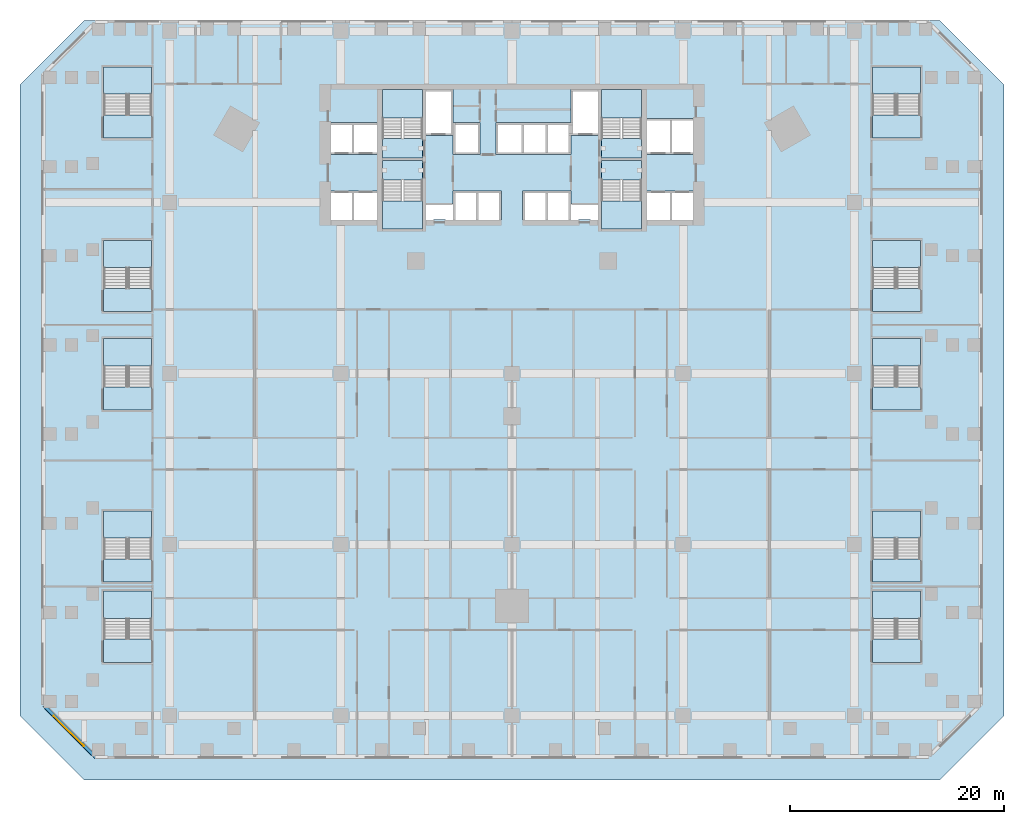
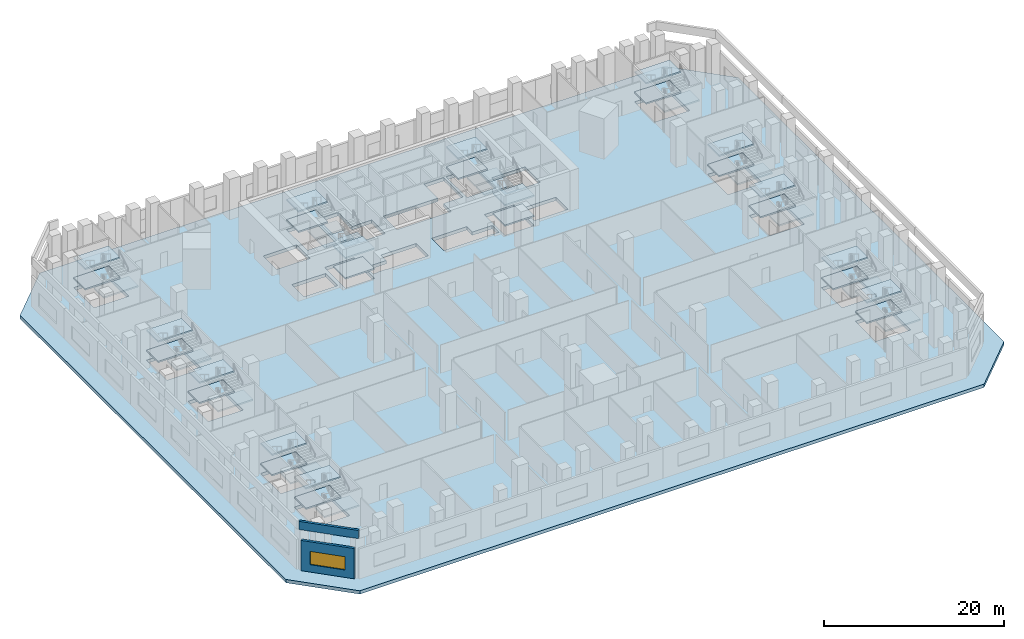
# One storey, part 3 of 22: 43 slabs, 2 walls, 1 window, 1 opening, 14 elements without a shape of their own.
"""IFC4 building model written with IfcOpenShell, lengths in metres."""

from ifc_helpers import new_model, si_unit, direction, frame, frame_2d, origin, place, context, subcontext, project, spatial, polyline, rectangle, outline, extrude, material, layer, layer_set, type_object, element, fill, aggregate, save


model = new_model("IFC4")

# Units and contexts
model_context = context("Model", 3, precision=1e-05, world=origin(), true_north=direction((0.0, 1.0)))
body_context = subcontext(model_context, "Body", "Model", "MODEL_VIEW")
ifc_project = project(units=[si_unit("LENGTHUNIT", "METRE"), si_unit("AREAUNIT", "SQUARE_METRE"), si_unit("VOLUMEUNIT", "CUBIC_METRE"), si_unit("PLANEANGLEUNIT", "RADIAN"), si_unit("MASSUNIT", "GRAM", prefix="KILO")], contexts=[model_context])

# Site, building, storey
site_placement = place(None, origin())
site = spatial("IfcSite", under=ifc_project, at=site_placement, CompositionType="ELEMENT")
building_placement = place(site_placement, origin())
building = spatial("IfcBuilding", under=site, at=building_placement, Name="Calabash Gate Tower", CompositionType="ELEMENT")
storey_placement = place(building_placement, frame((0.0, 0.0, 29.0)))
storey = spatial("IfcBuildingStorey", under=building, at=storey_placement, Name="L03", CompositionType="ELEMENT", Elevation=29.0)

# Slab
ifc_material_1 = material(Name="Concrete C40/50", Category="concrete")
ifc_layer_1 = layer(ifc_material_1, 0.449951171875)
ifc_layer_set_1 = layer_set([ifc_layer_1], Name="Reinforced concrete floor slab 450 Concrete C40/50")
slab_type_1 = type_object("IfcSlabType", Name="Reinforced concrete floor slab 450 Concrete C40/50", PredefinedType="FLOOR", material=ifc_layer_set_1)
slab_1_placement = place(storey_placement, frame((0.0, 0.0, -0.449951171875)))
element("IfcSlab", 1, at=slab_1_placement, inside=storey, type_object=slab_type_1, Name="Floor slab L03", PredefinedType="FLOOR", context=body_context, shape_type="SweptSolid", body=[
    extrude(outline(polyline([(40.0, -46.0), (-40.0, -46.0), (-46.0, -40.0), (-46.0, 19.0), (-40.0, 25.0), (-39.0, 25.0), (39.0, 25.0), (40.0, 25.0), (46.0, 19.0), (46.0, -40.0), (40.0, -46.0)]), holes=[polyline([(-1.0, 6.3525390625), (-1.0, 9.052490234375), (-3.25, 9.052490234375), (-5.5, 9.052490234375), (-5.5, 7.8525390625), (-8.050048828125, 7.8525390625), (-8.050048828125, 6.3525390625), (-7.324951171875, 6.3525390625), (-7.324951171875, 6.402587890625), (-6.22509765625, 6.402587890625), (-6.22509765625, 6.3525390625), (-5.5, 6.3525390625), (-3.25, 6.3525390625), (-1.0, 6.3525390625)]), polyline([(8.050048828125, 6.3525390625), (8.050048828125, 7.8525390625), (5.5, 7.8525390625), (5.5, 9.052490234375), (3.25, 9.052490234375), (1.0, 9.052490234375), (1.0, 6.3525390625), (3.25, 6.3525390625), (5.5, 6.3525390625), (6.22509765625, 6.3525390625), (6.22509765625, 6.402587890625), (7.324951171875, 6.402587890625), (7.324951171875, 6.3525390625), (8.050048828125, 6.3525390625)]), polyline([(-3.0, 12.45263671875), (-3.0, 15.45263671875), (-5.5, 15.45263671875), (-5.5, 18.552490234375), (-8.050048828125, 18.552490234375), (-8.050048828125, 14.252685546875), (-5.5, 14.252685546875), (-5.5, 12.45263671875), (-3.0, 12.45263671875)]), polyline([(5.5, 14.252685546875), (8.050048828125, 14.252685546875), (8.050048828125, 18.552490234375), (5.5, 18.552490234375), (5.5, 15.45263671875), (3.25, 15.45263671875), (1.0, 15.45263671875), (-1.5, 15.45263671875), (-1.5, 12.45263671875), (1.0, 12.45263671875), (3.25, 12.45263671875), (5.5, 12.45263671875), (5.5, 14.252685546875)]), polyline([(-16.89990234375, 6.3525390625), (-14.85009765625, 6.3525390625), (-12.60009765625, 6.3525390625), (-12.60009765625, 9.052490234375), (-14.85009765625, 9.052490234375), (-16.89990234375, 9.052490234375), (-16.89990234375, 6.3525390625)]), polyline([(-16.89990234375, 15.45263671875), (-16.89990234375, 12.45263671875), (-14.85009765625, 12.45263671875), (-12.60009765625, 12.45263671875), (-12.60009765625, 15.45263671875), (-14.85009765625, 15.45263671875), (-16.89990234375, 15.45263671875)]), polyline([(12.60009765625, 9.052490234375), (12.60009765625, 6.3525390625), (14.85009765625, 6.3525390625), (16.89990234375, 6.3525390625), (16.89990234375, 9.052490234375), (14.85009765625, 9.052490234375), (12.60009765625, 9.052490234375)]), polyline([(12.60009765625, 15.8525390625), (12.60009765625, 12.45263671875), (14.85009765625, 12.45263671875), (16.89990234375, 12.45263671875), (16.89990234375, 15.8525390625), (14.85009765625, 15.8525390625), (12.60009765625, 15.8525390625)]), polyline([(-12.10009765625, 13.95263671875), (-8.35009765625, 13.95263671875), (-8.35009765625, 18.552490234375), (-12.10009765625, 18.552490234375), (-12.10009765625, 13.95263671875)]), polyline([(-8.35009765625, 5.502685546875), (-8.35009765625, 10.1025390625), (-12.10009765625, 10.1025390625), (-12.10009765625, 5.502685546875), (-8.35009765625, 5.502685546875)]), polyline([(12.10009765625, 18.552490234375), (8.35009765625, 18.552490234375), (8.35009765625, 13.95263671875), (12.10009765625, 13.95263671875), (12.10009765625, 18.552490234375)]), polyline([(8.35009765625, 10.1025390625), (8.35009765625, 5.502685546875), (12.10009765625, 5.502685546875), (12.10009765625, 10.1025390625), (8.35009765625, 10.1025390625)]), polyline([(-33.699951171875, -28.35009765625), (-38.169921875, -28.35009765625), (-38.169921875, -32.840087890625), (-33.699951171875, -32.840087890625), (-33.699951171875, -28.35009765625)]), polyline([(-33.699951171875, -25.340087890625), (-33.699951171875, -20.85009765625), (-38.169921875, -20.85009765625), (-38.169921875, -25.340087890625), (-33.699951171875, -25.340087890625)]), polyline([(-38.169921875, -9.239990234375), (-33.699951171875, -9.239990234375), (-33.699951171875, -4.75), (-38.169921875, -4.75), (-38.169921875, -9.239990234375)]), polyline([(-38.169921875, 4.449951171875), (-38.169921875, -0.0400390625), (-33.699951171875, -0.0400390625), (-33.699951171875, 4.449951171875), (-38.169921875, 4.449951171875)]), polyline([(-33.699951171875, 20.64990234375), (-38.169921875, 20.64990234375), (-38.169921875, 16.159912109375), (-33.699951171875, 16.159912109375), (-33.699951171875, 20.64990234375)]), polyline([(38.169921875, -32.840087890625), (38.169921875, -28.35009765625), (33.699951171875, -28.35009765625), (33.699951171875, -32.840087890625), (38.169921875, -32.840087890625)]), polyline([(33.699951171875, -25.340087890625), (38.169921875, -25.340087890625), (38.169921875, -20.85009765625), (33.699951171875, -20.85009765625), (33.699951171875, -25.340087890625)]), polyline([(33.699951171875, -4.75), (33.699951171875, -9.239990234375), (38.169921875, -9.239990234375), (38.169921875, -4.75), (33.699951171875, -4.75)]), polyline([(38.169921875, 4.449951171875), (33.699951171875, 4.449951171875), (33.699951171875, -0.0400390625), (38.169921875, -0.0400390625), (38.169921875, 4.449951171875)]), polyline([(38.169921875, 16.159912109375), (38.169921875, 20.64990234375), (33.699951171875, 20.64990234375), (33.699951171875, 16.159912109375), (38.169921875, 16.159912109375)])]), origin(), (0.0, 0.0, 1.0), 0.449951171875),
])

# Stair, slabs
ifc_material_2 = material(Name="Concrete C40/50", Category="concrete")
stair_type_1 = type_object("IfcStairType", Name="Exit stair 32 risers of 171.9 mm", PredefinedType="HALF_TURN_STAIR", material=ifc_material_2)
stair_1_placement = place(storey_placement, origin())
stair_1 = element("IfcStair", 2, at=stair_1_placement, inside=storey, type_object=stair_type_1, Name="L03 Exit stair ST1", PredefinedType="HALF_TURN_STAIR")
ifc_material_3 = material(Name="Concrete C40/50", Category="concrete")
ifc_layer_2 = layer(ifc_material_3, 0.199951171875)
ifc_layer_set_2 = layer_set([ifc_layer_2], Name="Stair landing SL200")
slab_type_2 = type_object("IfcSlabType", Name="Stair landing SL200", PredefinedType="LANDING", material=ifc_layer_set_2)
slab_2_placement = place(storey_placement, frame((0.0, 0.0, 1.175048828125)))
slab_2 = element("IfcSlab", 3, at=slab_2_placement, type_object=slab_type_2, Name="ST1 landing 1", PredefinedType="LANDING", context=body_context, shape_type="SweptSolid", body=[
    extrude(outline(polyline([(-8.35009765625, 15.905517578125), (-8.35009765625, 18.552490234375), (-12.10009765625, 18.552490234375), (-12.10009765625, 15.905517578125), (-8.35009765625, 15.905517578125)])), origin(), (0.0, 0.0, 1.0), 0.199951171875),
])
slab_3_placement = place(storey_placement, frame((0.0, 0.0, 2.550048828125)))
slab_3 = element("IfcSlab", 4, at=slab_3_placement, type_object=slab_type_2, Name="ST1 landing 2", PredefinedType="LANDING", context=body_context, shape_type="SweptSolid", body=[
    extrude(outline(polyline([(-8.35009765625, 12.152587890625), (-8.35009765625, 13.95263671875), (-12.10009765625, 13.95263671875), (-12.10009765625, 12.152587890625), (-8.35009765625, 12.152587890625)])), origin(), (0.0, 0.0, 1.0), 0.199951171875),
])
slab_4_placement = place(storey_placement, frame((0.0, 0.0, 3.925048828125)))
slab_4 = element("IfcSlab", 5, at=slab_4_placement, type_object=slab_type_2, Name="ST1 landing 3", PredefinedType="LANDING", context=body_context, shape_type="SweptSolid", body=[
    extrude(outline(polyline([(-8.35009765625, 15.905517578125), (-8.35009765625, 18.552490234375), (-12.10009765625, 18.552490234375), (-12.10009765625, 15.905517578125), (-8.35009765625, 15.905517578125)])), origin(), (0.0, 0.0, 1.0), 0.199951171875),
])
aggregate(stair_1, [slab_2, slab_3, slab_4])

stair_2_placement = place(storey_placement, origin())
stair_2 = element("IfcStair", 6, at=stair_2_placement, inside=storey, type_object=stair_type_1, Name="L03 Exit stair ST2", PredefinedType="HALF_TURN_STAIR")
slab_5_placement = place(storey_placement, frame((0.0, 0.0, 1.175048828125)))
slab_5 = element("IfcSlab", 7, at=slab_5_placement, type_object=slab_type_2, Name="ST2 landing 1", PredefinedType="LANDING", context=body_context, shape_type="SweptSolid", body=[
    extrude(outline(polyline([(-12.10009765625, 8.149658203125), (-12.10009765625, 5.502685546875), (-8.35009765625, 5.502685546875), (-8.35009765625, 8.149658203125), (-12.10009765625, 8.149658203125)])), origin(), (0.0, 0.0, 1.0), 0.199951171875),
])
slab_6_placement = place(storey_placement, frame((0.0, 0.0, 2.550048828125)))
slab_6 = element("IfcSlab", 8, at=slab_6_placement, type_object=slab_type_2, Name="ST2 landing 2", PredefinedType="LANDING", context=body_context, shape_type="SweptSolid", body=[
    extrude(outline(polyline([(-12.10009765625, 11.902587890625), (-12.10009765625, 10.1025390625), (-8.35009765625, 10.1025390625), (-8.35009765625, 11.902587890625), (-12.10009765625, 11.902587890625)])), origin(), (0.0, 0.0, 1.0), 0.199951171875),
])
slab_7_placement = place(storey_placement, frame((0.0, 0.0, 3.925048828125)))
slab_7 = element("IfcSlab", 9, at=slab_7_placement, type_object=slab_type_2, Name="ST2 landing 3", PredefinedType="LANDING", context=body_context, shape_type="SweptSolid", body=[
    extrude(outline(polyline([(-12.10009765625, 8.149658203125), (-12.10009765625, 5.502685546875), (-8.35009765625, 5.502685546875), (-8.35009765625, 8.149658203125), (-12.10009765625, 8.149658203125)])), origin(), (0.0, 0.0, 1.0), 0.199951171875),
])
aggregate(stair_2, [slab_5, slab_6, slab_7])

stair_3_placement = place(storey_placement, origin())
stair_3 = element("IfcStair", 10, at=stair_3_placement, inside=storey, type_object=stair_type_1, Name="L03 Exit stair ST3", PredefinedType="HALF_TURN_STAIR")
slab_8_placement = place(storey_placement, frame((0.0, 0.0, 1.175048828125)))
slab_8 = element("IfcSlab", 11, at=slab_8_placement, type_object=slab_type_2, Name="ST3 landing 1", PredefinedType="LANDING", context=body_context, shape_type="SweptSolid", body=[
    extrude(outline(polyline([(12.10009765625, 15.905517578125), (12.10009765625, 18.552490234375), (8.35009765625, 18.552490234375), (8.35009765625, 15.905517578125), (12.10009765625, 15.905517578125)])), origin(), (0.0, 0.0, 1.0), 0.199951171875),
])
slab_9_placement = place(storey_placement, frame((0.0, 0.0, 2.550048828125)))
slab_9 = element("IfcSlab", 12, at=slab_9_placement, type_object=slab_type_2, Name="ST3 landing 2", PredefinedType="LANDING", context=body_context, shape_type="SweptSolid", body=[
    extrude(outline(polyline([(12.10009765625, 12.152587890625), (12.10009765625, 13.95263671875), (8.35009765625, 13.95263671875), (8.35009765625, 12.152587890625), (12.10009765625, 12.152587890625)])), origin(), (0.0, 0.0, 1.0), 0.199951171875),
])
slab_10_placement = place(storey_placement, frame((0.0, 0.0, 3.925048828125)))
slab_10 = element("IfcSlab", 13, at=slab_10_placement, type_object=slab_type_2, Name="ST3 landing 3", PredefinedType="LANDING", context=body_context, shape_type="SweptSolid", body=[
    extrude(outline(polyline([(12.10009765625, 15.905517578125), (12.10009765625, 18.552490234375), (8.35009765625, 18.552490234375), (8.35009765625, 15.905517578125), (12.10009765625, 15.905517578125)])), origin(), (0.0, 0.0, 1.0), 0.199951171875),
])
aggregate(stair_3, [slab_8, slab_9, slab_10])

stair_4_placement = place(storey_placement, origin())
stair_4 = element("IfcStair", 14, at=stair_4_placement, inside=storey, type_object=stair_type_1, Name="L03 Exit stair ST4", PredefinedType="HALF_TURN_STAIR")
slab_11_placement = place(storey_placement, frame((0.0, 0.0, 1.175048828125)))
slab_11 = element("IfcSlab", 15, at=slab_11_placement, type_object=slab_type_2, Name="ST4 landing 1", PredefinedType="LANDING", context=body_context, shape_type="SweptSolid", body=[
    extrude(outline(polyline([(8.35009765625, 8.149658203125), (8.35009765625, 5.502685546875), (12.10009765625, 5.502685546875), (12.10009765625, 8.149658203125), (8.35009765625, 8.149658203125)])), origin(), (0.0, 0.0, 1.0), 0.199951171875),
])
slab_12_placement = place(storey_placement, frame((0.0, 0.0, 2.550048828125)))
slab_12 = element("IfcSlab", 16, at=slab_12_placement, type_object=slab_type_2, Name="ST4 landing 2", PredefinedType="LANDING", context=body_context, shape_type="SweptSolid", body=[
    extrude(outline(polyline([(8.35009765625, 11.902587890625), (8.35009765625, 10.1025390625), (12.10009765625, 10.1025390625), (12.10009765625, 11.902587890625), (8.35009765625, 11.902587890625)])), origin(), (0.0, 0.0, 1.0), 0.199951171875),
])
slab_13_placement = place(storey_placement, frame((0.0, 0.0, 3.925048828125)))
slab_13 = element("IfcSlab", 17, at=slab_13_placement, type_object=slab_type_2, Name="ST4 landing 3", PredefinedType="LANDING", context=body_context, shape_type="SweptSolid", body=[
    extrude(outline(polyline([(8.35009765625, 8.149658203125), (8.35009765625, 5.502685546875), (12.10009765625, 5.502685546875), (12.10009765625, 8.149658203125), (8.35009765625, 8.149658203125)])), origin(), (0.0, 0.0, 1.0), 0.199951171875),
])
aggregate(stair_4, [slab_11, slab_12, slab_13])

ifc_material_4 = material(Name="Concrete C40/50", Category="concrete")
stair_type_2 = type_object("IfcStairType", Name="Public stair 32 risers of 171.9 mm", PredefinedType="HALF_TURN_STAIR", material=ifc_material_4)
stair_5_placement = place(storey_placement, origin())
stair_5 = element("IfcStair", 18, at=stair_5_placement, inside=storey, type_object=stair_type_2, Name="L03 Public Stair PS1", PredefinedType="HALF_TURN_STAIR")
slab_14_placement = place(storey_placement, frame((0.0, 0.0, 1.175048828125)))
slab_14 = element("IfcSlab", 19, at=slab_14_placement, type_object=slab_type_2, Name="PS1 landing 1", PredefinedType="LANDING", context=body_context, shape_type="SweptSolid", body=[
    extrude(outline(polyline([(-33.699951171875, -30.886962890625), (-33.699951171875, -28.35009765625), (-38.169921875, -28.35009765625), (-38.169921875, -30.886962890625), (-33.699951171875, -30.886962890625)])), origin(), (0.0, 0.0, 1.0), 0.199951171875),
])
slab_15_placement = place(storey_placement, frame((0.0, 0.0, 2.550048828125)))
slab_15 = element("IfcSlab", 20, at=slab_15_placement, type_object=slab_type_2, Name="PS1 landing 2", PredefinedType="LANDING", context=body_context, shape_type="SweptSolid", body=[
    extrude(outline(polyline([(-33.699951171875, -35.0), (-33.699951171875, -32.840087890625), (-38.169921875, -32.840087890625), (-38.169921875, -35.0), (-33.699951171875, -35.0)])), origin(), (0.0, 0.0, 1.0), 0.199951171875),
])
slab_16_placement = place(storey_placement, frame((0.0, 0.0, 3.925048828125)))
slab_16 = element("IfcSlab", 21, at=slab_16_placement, type_object=slab_type_2, Name="PS1 landing 3", PredefinedType="LANDING", context=body_context, shape_type="SweptSolid", body=[
    extrude(outline(polyline([(-33.699951171875, -30.886962890625), (-33.699951171875, -28.35009765625), (-38.169921875, -28.35009765625), (-38.169921875, -30.886962890625), (-33.699951171875, -30.886962890625)])), origin(), (0.0, 0.0, 1.0), 0.199951171875),
])
aggregate(stair_5, [slab_14, slab_15, slab_16])

stair_6_placement = place(storey_placement, origin())
stair_6 = element("IfcStair", 22, at=stair_6_placement, inside=storey, type_object=stair_type_2, Name="L03 Public Stair PS2", PredefinedType="HALF_TURN_STAIR")
slab_17_placement = place(storey_placement, frame((0.0, 0.0, 1.175048828125)))
slab_17 = element("IfcSlab", 23, at=slab_17_placement, type_object=slab_type_2, Name="PS2 landing 1", PredefinedType="LANDING", context=body_context, shape_type="SweptSolid", body=[
    extrude(outline(polyline([(-33.699951171875, -23.386962890625), (-33.699951171875, -20.85009765625), (-38.169921875, -20.85009765625), (-38.169921875, -23.386962890625), (-33.699951171875, -23.386962890625)])), origin(), (0.0, 0.0, 1.0), 0.199951171875),
])
slab_18_placement = place(storey_placement, frame((0.0, 0.0, 2.550048828125)))
slab_18 = element("IfcSlab", 24, at=slab_18_placement, type_object=slab_type_2, Name="PS2 landing 2", PredefinedType="LANDING", context=body_context, shape_type="SweptSolid", body=[
    extrude(outline(polyline([(-33.699951171875, -27.5), (-33.699951171875, -25.340087890625), (-38.169921875, -25.340087890625), (-38.169921875, -27.5), (-33.699951171875, -27.5)])), origin(), (0.0, 0.0, 1.0), 0.199951171875),
])
slab_19_placement = place(storey_placement, frame((0.0, 0.0, 3.925048828125)))
slab_19 = element("IfcSlab", 25, at=slab_19_placement, type_object=slab_type_2, Name="PS2 landing 3", PredefinedType="LANDING", context=body_context, shape_type="SweptSolid", body=[
    extrude(outline(polyline([(-33.699951171875, -23.386962890625), (-33.699951171875, -20.85009765625), (-38.169921875, -20.85009765625), (-38.169921875, -23.386962890625), (-33.699951171875, -23.386962890625)])), origin(), (0.0, 0.0, 1.0), 0.199951171875),
])
aggregate(stair_6, [slab_17, slab_18, slab_19])

stair_7_placement = place(storey_placement, origin())
stair_7 = element("IfcStair", 26, at=stair_7_placement, inside=storey, type_object=stair_type_2, Name="L03 Public Stair PS3", PredefinedType="HALF_TURN_STAIR")
slab_20_placement = place(storey_placement, frame((0.0, 0.0, 1.175048828125)))
slab_20 = element("IfcSlab", 27, at=slab_20_placement, type_object=slab_type_2, Name="PS3 landing 1", PredefinedType="LANDING", context=body_context, shape_type="SweptSolid", body=[
    extrude(outline(polyline([(-33.699951171875, -7.287109375), (-33.699951171875, -4.75), (-38.169921875, -4.75), (-38.169921875, -7.287109375), (-33.699951171875, -7.287109375)])), origin(), (0.0, 0.0, 1.0), 0.199951171875),
])
slab_21_placement = place(storey_placement, frame((0.0, 0.0, 2.550048828125)))
slab_21 = element("IfcSlab", 28, at=slab_21_placement, type_object=slab_type_2, Name="PS3 landing 2", PredefinedType="LANDING", context=body_context, shape_type="SweptSolid", body=[
    extrude(outline(polyline([(-33.699951171875, -11.39990234375), (-33.699951171875, -9.239990234375), (-38.169921875, -9.239990234375), (-38.169921875, -11.39990234375), (-33.699951171875, -11.39990234375)])), origin(), (0.0, 0.0, 1.0), 0.199951171875),
])
slab_22_placement = place(storey_placement, frame((0.0, 0.0, 3.925048828125)))
slab_22 = element("IfcSlab", 29, at=slab_22_placement, type_object=slab_type_2, Name="PS3 landing 3", PredefinedType="LANDING", context=body_context, shape_type="SweptSolid", body=[
    extrude(outline(polyline([(-33.699951171875, -7.287109375), (-33.699951171875, -4.75), (-38.169921875, -4.75), (-38.169921875, -7.287109375), (-33.699951171875, -7.287109375)])), origin(), (0.0, 0.0, 1.0), 0.199951171875),
])
aggregate(stair_7, [slab_20, slab_21, slab_22])

stair_8_placement = place(storey_placement, origin())
stair_8 = element("IfcStair", 30, at=stair_8_placement, inside=storey, type_object=stair_type_2, Name="L03 Public Stair PS4", PredefinedType="HALF_TURN_STAIR")
slab_23_placement = place(storey_placement, frame((0.0, 0.0, 1.175048828125)))
slab_23 = element("IfcSlab", 31, at=slab_23_placement, type_object=slab_type_2, Name="PS4 landing 1", PredefinedType="LANDING", context=body_context, shape_type="SweptSolid", body=[
    extrude(outline(polyline([(-33.699951171875, 1.9130859375), (-33.699951171875, 4.449951171875), (-38.169921875, 4.449951171875), (-38.169921875, 1.9130859375), (-33.699951171875, 1.9130859375)])), origin(), (0.0, 0.0, 1.0), 0.199951171875),
])
slab_24_placement = place(storey_placement, frame((0.0, 0.0, 2.550048828125)))
slab_24 = element("IfcSlab", 32, at=slab_24_placement, type_object=slab_type_2, Name="PS4 landing 2", PredefinedType="LANDING", context=body_context, shape_type="SweptSolid", body=[
    extrude(outline(polyline([(-33.699951171875, -2.199951171875), (-33.699951171875, -0.0400390625), (-38.169921875, -0.0400390625), (-38.169921875, -2.199951171875), (-33.699951171875, -2.199951171875)])), origin(), (0.0, 0.0, 1.0), 0.199951171875),
])
slab_25_placement = place(storey_placement, frame((0.0, 0.0, 3.925048828125)))
slab_25 = element("IfcSlab", 33, at=slab_25_placement, type_object=slab_type_2, Name="PS4 landing 3", PredefinedType="LANDING", context=body_context, shape_type="SweptSolid", body=[
    extrude(outline(polyline([(-33.699951171875, 1.9130859375), (-33.699951171875, 4.449951171875), (-38.169921875, 4.449951171875), (-38.169921875, 1.9130859375), (-33.699951171875, 1.9130859375)])), origin(), (0.0, 0.0, 1.0), 0.199951171875),
])
aggregate(stair_8, [slab_23, slab_24, slab_25])

stair_9_placement = place(storey_placement, origin())
stair_9 = element("IfcStair", 34, at=stair_9_placement, inside=storey, type_object=stair_type_2, Name="L03 Public Stair PS5", PredefinedType="HALF_TURN_STAIR")
slab_26_placement = place(storey_placement, frame((0.0, 0.0, 1.175048828125)))
slab_26 = element("IfcSlab", 35, at=slab_26_placement, type_object=slab_type_2, Name="PS5 landing 1", PredefinedType="LANDING", context=body_context, shape_type="SweptSolid", body=[
    extrude(outline(polyline([(-33.699951171875, 18.113037109375), (-33.699951171875, 20.64990234375), (-38.169921875, 20.64990234375), (-38.169921875, 18.113037109375), (-33.699951171875, 18.113037109375)])), origin(), (0.0, 0.0, 1.0), 0.199951171875),
])
slab_27_placement = place(storey_placement, frame((0.0, 0.0, 2.550048828125)))
slab_27 = element("IfcSlab", 36, at=slab_27_placement, type_object=slab_type_2, Name="PS5 landing 2", PredefinedType="LANDING", context=body_context, shape_type="SweptSolid", body=[
    extrude(outline(polyline([(-33.699951171875, 14.0), (-33.699951171875, 16.159912109375), (-38.169921875, 16.159912109375), (-38.169921875, 14.0), (-33.699951171875, 14.0)])), origin(), (0.0, 0.0, 1.0), 0.199951171875),
])
slab_28_placement = place(storey_placement, frame((0.0, 0.0, 3.925048828125)))
slab_28 = element("IfcSlab", 37, at=slab_28_placement, type_object=slab_type_2, Name="PS5 landing 3", PredefinedType="LANDING", context=body_context, shape_type="SweptSolid", body=[
    extrude(outline(polyline([(-33.699951171875, 18.113037109375), (-33.699951171875, 20.64990234375), (-38.169921875, 20.64990234375), (-38.169921875, 18.113037109375), (-33.699951171875, 18.113037109375)])), origin(), (0.0, 0.0, 1.0), 0.199951171875),
])
aggregate(stair_9, [slab_26, slab_27, slab_28])

stair_10_placement = place(storey_placement, origin())
stair_10 = element("IfcStair", 38, at=stair_10_placement, inside=storey, type_object=stair_type_2, Name="L03 Public Stair PS6", PredefinedType="HALF_TURN_STAIR")
slab_29_placement = place(storey_placement, frame((0.0, 0.0, 1.175048828125)))
slab_29 = element("IfcSlab", 39, at=slab_29_placement, type_object=slab_type_2, Name="PS6 landing 1", PredefinedType="LANDING", context=body_context, shape_type="SweptSolid", body=[
    extrude(outline(polyline([(38.169921875, -30.886962890625), (38.169921875, -28.35009765625), (33.699951171875, -28.35009765625), (33.699951171875, -30.886962890625), (38.169921875, -30.886962890625)])), origin(), (0.0, 0.0, 1.0), 0.199951171875),
])
slab_30_placement = place(storey_placement, frame((0.0, 0.0, 2.550048828125)))
slab_30 = element("IfcSlab", 40, at=slab_30_placement, type_object=slab_type_2, Name="PS6 landing 2", PredefinedType="LANDING", context=body_context, shape_type="SweptSolid", body=[
    extrude(outline(polyline([(38.169921875, -35.0), (38.169921875, -32.840087890625), (33.699951171875, -32.840087890625), (33.699951171875, -35.0), (38.169921875, -35.0)])), origin(), (0.0, 0.0, 1.0), 0.199951171875),
])
slab_31_placement = place(storey_placement, frame((0.0, 0.0, 3.925048828125)))
slab_31 = element("IfcSlab", 41, at=slab_31_placement, type_object=slab_type_2, Name="PS6 landing 3", PredefinedType="LANDING", context=body_context, shape_type="SweptSolid", body=[
    extrude(outline(polyline([(38.169921875, -30.886962890625), (38.169921875, -28.35009765625), (33.699951171875, -28.35009765625), (33.699951171875, -30.886962890625), (38.169921875, -30.886962890625)])), origin(), (0.0, 0.0, 1.0), 0.199951171875),
])
aggregate(stair_10, [slab_29, slab_30, slab_31])

stair_11_placement = place(storey_placement, origin())
stair_11 = element("IfcStair", 42, at=stair_11_placement, inside=storey, type_object=stair_type_2, Name="L03 Public Stair PS7", PredefinedType="HALF_TURN_STAIR")
slab_32_placement = place(storey_placement, frame((0.0, 0.0, 1.175048828125)))
slab_32 = element("IfcSlab", 43, at=slab_32_placement, type_object=slab_type_2, Name="PS7 landing 1", PredefinedType="LANDING", context=body_context, shape_type="SweptSolid", body=[
    extrude(outline(polyline([(38.169921875, -23.386962890625), (38.169921875, -20.85009765625), (33.699951171875, -20.85009765625), (33.699951171875, -23.386962890625), (38.169921875, -23.386962890625)])), origin(), (0.0, 0.0, 1.0), 0.199951171875),
])
slab_33_placement = place(storey_placement, frame((0.0, 0.0, 2.550048828125)))
slab_33 = element("IfcSlab", 44, at=slab_33_placement, type_object=slab_type_2, Name="PS7 landing 2", PredefinedType="LANDING", context=body_context, shape_type="SweptSolid", body=[
    extrude(outline(polyline([(38.169921875, -27.5), (38.169921875, -25.340087890625), (33.699951171875, -25.340087890625), (33.699951171875, -27.5), (38.169921875, -27.5)])), origin(), (0.0, 0.0, 1.0), 0.199951171875),
])
slab_34_placement = place(storey_placement, frame((0.0, 0.0, 3.925048828125)))
slab_34 = element("IfcSlab", 45, at=slab_34_placement, type_object=slab_type_2, Name="PS7 landing 3", PredefinedType="LANDING", context=body_context, shape_type="SweptSolid", body=[
    extrude(outline(polyline([(38.169921875, -23.386962890625), (38.169921875, -20.85009765625), (33.699951171875, -20.85009765625), (33.699951171875, -23.386962890625), (38.169921875, -23.386962890625)])), origin(), (0.0, 0.0, 1.0), 0.199951171875),
])
aggregate(stair_11, [slab_32, slab_33, slab_34])

stair_12_placement = place(storey_placement, origin())
stair_12 = element("IfcStair", 46, at=stair_12_placement, inside=storey, type_object=stair_type_2, Name="L03 Public Stair PS8", PredefinedType="HALF_TURN_STAIR")
slab_35_placement = place(storey_placement, frame((0.0, 0.0, 1.175048828125)))
slab_35 = element("IfcSlab", 47, at=slab_35_placement, type_object=slab_type_2, Name="PS8 landing 1", PredefinedType="LANDING", context=body_context, shape_type="SweptSolid", body=[
    extrude(outline(polyline([(38.169921875, -7.287109375), (38.169921875, -4.75), (33.699951171875, -4.75), (33.699951171875, -7.287109375), (38.169921875, -7.287109375)])), origin(), (0.0, 0.0, 1.0), 0.199951171875),
])
slab_36_placement = place(storey_placement, frame((0.0, 0.0, 2.550048828125)))
slab_36 = element("IfcSlab", 48, at=slab_36_placement, type_object=slab_type_2, Name="PS8 landing 2", PredefinedType="LANDING", context=body_context, shape_type="SweptSolid", body=[
    extrude(outline(polyline([(38.169921875, -11.39990234375), (38.169921875, -9.239990234375), (33.699951171875, -9.239990234375), (33.699951171875, -11.39990234375), (38.169921875, -11.39990234375)])), origin(), (0.0, 0.0, 1.0), 0.199951171875),
])
slab_37_placement = place(storey_placement, frame((0.0, 0.0, 3.925048828125)))
slab_37 = element("IfcSlab", 49, at=slab_37_placement, type_object=slab_type_2, Name="PS8 landing 3", PredefinedType="LANDING", context=body_context, shape_type="SweptSolid", body=[
    extrude(outline(polyline([(38.169921875, -7.287109375), (38.169921875, -4.75), (33.699951171875, -4.75), (33.699951171875, -7.287109375), (38.169921875, -7.287109375)])), origin(), (0.0, 0.0, 1.0), 0.199951171875),
])
aggregate(stair_12, [slab_35, slab_36, slab_37])

stair_13_placement = place(storey_placement, origin())
stair_13 = element("IfcStair", 50, at=stair_13_placement, inside=storey, type_object=stair_type_2, Name="L03 Public Stair PS9", PredefinedType="HALF_TURN_STAIR")
slab_38_placement = place(storey_placement, frame((0.0, 0.0, 1.175048828125)))
slab_38 = element("IfcSlab", 51, at=slab_38_placement, type_object=slab_type_2, Name="PS9 landing 1", PredefinedType="LANDING", context=body_context, shape_type="SweptSolid", body=[
    extrude(outline(polyline([(38.169921875, 1.9130859375), (38.169921875, 4.449951171875), (33.699951171875, 4.449951171875), (33.699951171875, 1.9130859375), (38.169921875, 1.9130859375)])), origin(), (0.0, 0.0, 1.0), 0.199951171875),
])
slab_39_placement = place(storey_placement, frame((0.0, 0.0, 2.550048828125)))
slab_39 = element("IfcSlab", 52, at=slab_39_placement, type_object=slab_type_2, Name="PS9 landing 2", PredefinedType="LANDING", context=body_context, shape_type="SweptSolid", body=[
    extrude(outline(polyline([(38.169921875, -2.199951171875), (38.169921875, -0.0400390625), (33.699951171875, -0.0400390625), (33.699951171875, -2.199951171875), (38.169921875, -2.199951171875)])), origin(), (0.0, 0.0, 1.0), 0.199951171875),
])
slab_40_placement = place(storey_placement, frame((0.0, 0.0, 3.925048828125)))
slab_40 = element("IfcSlab", 53, at=slab_40_placement, type_object=slab_type_2, Name="PS9 landing 3", PredefinedType="LANDING", context=body_context, shape_type="SweptSolid", body=[
    extrude(outline(polyline([(38.169921875, 1.9130859375), (38.169921875, 4.449951171875), (33.699951171875, 4.449951171875), (33.699951171875, 1.9130859375), (38.169921875, 1.9130859375)])), origin(), (0.0, 0.0, 1.0), 0.199951171875),
])
aggregate(stair_13, [slab_38, slab_39, slab_40])

stair_14_placement = place(storey_placement, origin())
stair_14 = element("IfcStair", 54, at=stair_14_placement, inside=storey, type_object=stair_type_2, Name="L03 Public Stair PS10", PredefinedType="HALF_TURN_STAIR")
slab_41_placement = place(storey_placement, frame((0.0, 0.0, 1.175048828125)))
slab_41 = element("IfcSlab", 55, at=slab_41_placement, type_object=slab_type_2, Name="PS10 landing 1", PredefinedType="LANDING", context=body_context, shape_type="SweptSolid", body=[
    extrude(outline(polyline([(38.169921875, 18.113037109375), (38.169921875, 20.64990234375), (33.699951171875, 20.64990234375), (33.699951171875, 18.113037109375), (38.169921875, 18.113037109375)])), origin(), (0.0, 0.0, 1.0), 0.199951171875),
])
slab_42_placement = place(storey_placement, frame((0.0, 0.0, 2.550048828125)))
slab_42 = element("IfcSlab", 56, at=slab_42_placement, type_object=slab_type_2, Name="PS10 landing 2", PredefinedType="LANDING", context=body_context, shape_type="SweptSolid", body=[
    extrude(outline(polyline([(38.169921875, 14.0), (38.169921875, 16.159912109375), (33.699951171875, 16.159912109375), (33.699951171875, 14.0), (38.169921875, 14.0)])), origin(), (0.0, 0.0, 1.0), 0.199951171875),
])
slab_43_placement = place(storey_placement, frame((0.0, 0.0, 3.925048828125)))
slab_43 = element("IfcSlab", 57, at=slab_43_placement, type_object=slab_type_2, Name="PS10 landing 3", PredefinedType="LANDING", context=body_context, shape_type="SweptSolid", body=[
    extrude(outline(polyline([(38.169921875, 18.113037109375), (38.169921875, 20.64990234375), (33.699951171875, 20.64990234375), (33.699951171875, 18.113037109375), (38.169921875, 18.113037109375)])), origin(), (0.0, 0.0, 1.0), 0.199951171875),
])
aggregate(stair_14, [slab_41, slab_42, slab_43])

# Wall, opening, window
ifc_material_5 = material(Name="Terracotta brick masonry, exposed face", Category="masonry")
ifc_layer_3 = layer(ifc_material_5, 0.300048828125)
ifc_layer_set_3 = layer_set([ifc_layer_3], Name="Podium brick wall 300")
wall_type_1 = type_object("IfcWallType", Name="Podium brick wall 300", PredefinedType="SOLIDWALL", material=ifc_layer_set_3)
wall_1_placement = place(storey_placement, frame((-43.587646484375, -39.27099609375, 0.0), z_axis=(0.0, 0.0, 1.0), x_axis=(0.707106781187, -0.707106781187, 0.0)))
wall_1 = element("IfcWall", 58, at=wall_1_placement, inside=storey, type_object=wall_type_1, Name="Podium brick wall L03 7.0.0", PredefinedType="SOLIDWALL", context=body_context, shape_type="SweptSolid", body=[
    extrude(rectangle(XDim=6.104736328125, YDim=0.300048828125, at=frame_2d((3.05224609375, 0.0))), origin(), (0.0, 0.0, 1.0), 4.10009765625),
])
opening_placement = place(wall_1_placement, frame((1.05224609375, 0.0, 1.0)))
opening = element("IfcOpeningElement", 59, at=opening_placement, cuts=wall_1, Name="Opening WM1", PredefinedType="OPENING", context=body_context, shape_type="SweptSolid", body=[
    extrude(rectangle(XDim=4.0, YDim=1.800048828125, at=frame_2d((2.0, 0.89990234375))), frame((0.0, 0.159912109375, 0.0), z_axis=(0.0, -1.0, 0.0), x_axis=(1.0, 0.0, 0.0)), (0.0, 0.0, 1.0), 0.320068359375),
])
ifc_material_6 = material(Name="Anodised aluminium frame, bronze finish, impact-rated laminated clear glazing", Category="aluminium")
window_type = type_object("IfcWindowType", Name="Window WM1 4000x1800", PartitioningType="TRIPLE_PANEL_VERTICAL", PredefinedType="WINDOW", material=ifc_material_6)
window_placement = place(opening_placement, origin())
window = element("IfcWindow", 60, at=window_placement, inside=storey, type_object=window_type, Name="Meeting room window L03 7.0.0", OverallHeight=1.800048828125, OverallWidth=4.0, PartitioningType="SINGLE_PANEL", PredefinedType="WINDOW", context=body_context, shape_type="SweptSolid", body=[
    extrude(rectangle(XDim=4.0, YDim=1.800048828125, at=frame_2d((2.0, 0.89990234375))), frame((0.0, 0.030029296875, 0.0), z_axis=(0.0, -1.0, 0.0), x_axis=(1.0, 0.0, 0.0)), (0.0, 0.0, 1.0), 0.06005859375),
])
fill(opening, window)

# Wall
ifc_material_7 = material(Name="Terracotta brick masonry, exposed face", Category="masonry")
ifc_layer_4 = layer(ifc_material_7, 0.300048828125)
ifc_layer_set_4 = layer_set([ifc_layer_4], Name="Podium parapet wall 300")
wall_type_2 = type_object("IfcWallType", Name="Podium parapet wall 300", PredefinedType="PARAPET", material=ifc_layer_set_4)
wall_2_placement = place(storey_placement, frame((-43.745361328125, -39.04248046875, 5.5), z_axis=(0.0, 0.0, 1.0), x_axis=(0.70708898898, -0.707124572946, 0.0)))
element("IfcWall", 61, at=wall_2_placement, inside=storey, type_object=wall_type_2, Name="Podium parapet L03 7.0.0", PredefinedType="PARAPET", context=body_context, shape_type="SweptSolid", body=[
    extrude(rectangle(XDim=6.861083984375, YDim=0.300048828125, at=frame_2d((3.4306640625, 0.0))), origin(), (0.0, 0.0, 1.0), 1.10009765625),
])

save(model, "model.ifc")
